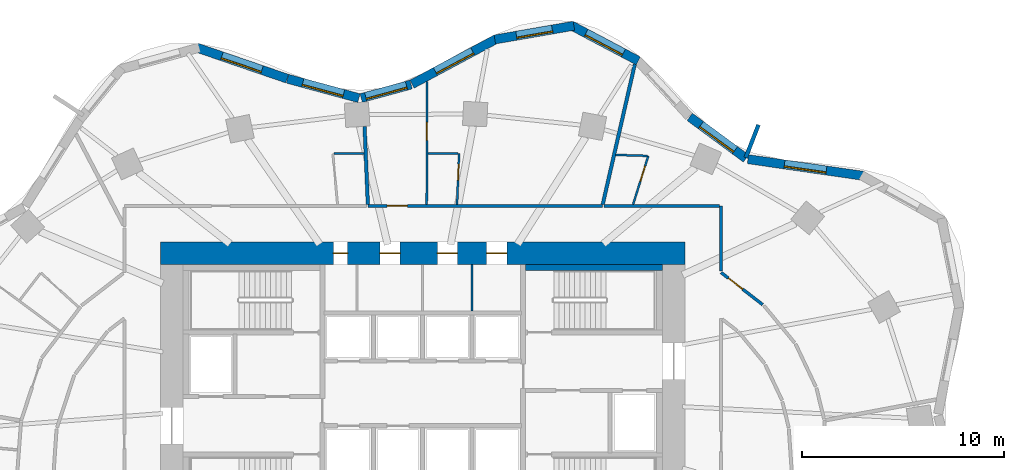
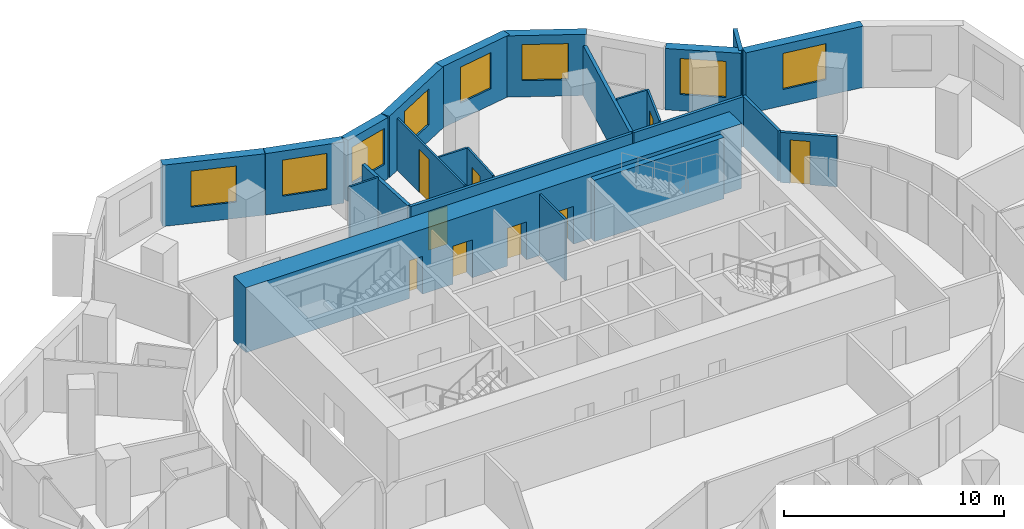
# One storey, part 8 of 10: 24 walls, 9 doors, 8 windows, 17 openings.
"""IFC4 building model written with IfcOpenShell, lengths in metres."""

from ifc_helpers import new_model, si_unit, direction, frame, frame_2d, origin, place, context, subcontext, project, spatial, rectangle, extrude, material, layer, layer_set, type_object, element, fill, save


model = new_model("IFC4")

# Units and contexts
model_context = context("Model", 3, precision=1e-05, world=origin(), true_north=direction((0.0, 1.0)))
body_context = subcontext(model_context, "Body", "Model", "MODEL_VIEW")
ifc_project = project(units=[si_unit("LENGTHUNIT", "METRE"), si_unit("AREAUNIT", "SQUARE_METRE"), si_unit("VOLUMEUNIT", "CUBIC_METRE"), si_unit("PLANEANGLEUNIT", "RADIAN"), si_unit("MASSUNIT", "GRAM", prefix="KILO")], contexts=[model_context])

# Site, building, storey
site_placement = place(None, origin())
site = spatial("IfcSite", under=ifc_project, at=site_placement, CompositionType="ELEMENT")
building_placement = place(site_placement, origin())
building = spatial("IfcBuilding", under=site, at=building_placement, Name="Rubra Terraces Tower", CompositionType="ELEMENT")
storey_placement = place(building_placement, frame((0.0, 0.0, 92.39990234375)))
storey = spatial("IfcBuildingStorey", under=building, at=storey_placement, Name="L21", CompositionType="ELEMENT", Elevation=92.39990234375)

# Walls
ifc_material_1 = material(Name="Twin plasterboard on staggered steel stud, acoustic mineral wool", Category="steel")
ifc_layer_1 = layer(ifc_material_1, 0.175048828125)
ifc_layer_set_1 = layer_set([ifc_layer_1], Name="Twin plasterboard on staggered steel stud, acoustic mineral wool")
wall_type_1 = type_object("IfcWallType", Name="ACOUSTIC PARTY WALL 175", PredefinedType="PARTITIONING", material=ifc_layer_set_1)
wall_1_placement = place(storey_placement, frame((10.518798828125, 20.8251953125, 0.0), z_axis=(0.0, 0.0, 1.0), x_axis=(-0.223124088509, -0.974790049768, 0.0)))
element("IfcWall", 1, at=wall_1_placement, inside=storey, type_object=wall_type_1, Name="PARTITION", PredefinedType="PARTITIONING", context=body_context, shape_type="SweptSolid", body=[
    extrude(rectangle(XDim=7.1318359375, YDim=0.175048828125, at=frame_2d((3.56591796875, 0.0))), origin(), (0.0, 0.0, 1.0), 2.7841796875),
])
wall_2_placement = place(storey_placement, frame((-2.88232421875, 17.732177734375, 0.0), z_axis=(0.0, 0.0, 1.0), x_axis=(0.04199090748, -0.999117992876, 0.0)))
element("IfcWall", 2, at=wall_2_placement, inside=storey, type_object=wall_type_1, Name="PARTITION", PredefinedType="PARTITIONING", context=body_context, shape_type="SweptSolid", body=[
    extrude(rectangle(XDim=3.860595703125, YDim=0.175048828125, at=frame_2d((1.93017578125, 0.0))), origin(), (0.0, 0.0, 1.0), 2.7841796875),
])

# Wall, opening, window
ifc_material_2 = material(Name="Brick masonry red-brown", Category="masonry")
ifc_layer_2 = layer(ifc_material_2, 0.449951171875)
ifc_layer_set_2 = layer_set([ifc_layer_2], Name="Brick masonry red-brown")
wall_type_2 = type_object("IfcWallType", Name="Brick facade wall 450", PredefinedType="SOLIDWALL", material=ifc_layer_set_2)
wall_3_placement = place(storey_placement, frame((21.8251953125, 15.297119140625, 0.0), z_axis=(0.0, 0.0, 1.0), x_axis=(-0.98971474215, 0.143054986527, 0.0)))
wall_3 = element("IfcWall", 3, at=wall_3_placement, inside=storey, type_object=wall_type_2, Name="Facade wall L21 bay 5", PredefinedType="SOLIDWALL", context=body_context, shape_type="SweptSolid", body=[
    extrude(rectangle(XDim=5.7529296875, YDim=0.449951171875, at=frame_2d((2.87646484375, 0.0))), origin(), (0.0, 0.0, 1.0), 3.400146484375),
])
opening_1_placement = place(wall_3_placement, frame((1.826416015625, 0.0, 0.89990234375)))
opening_1 = element("IfcOpeningElement", 4, at=opening_1_placement, cuts=wall_3, Name="Opening W1", PredefinedType="OPENING", context=body_context, shape_type="SweptSolid", body=[
    extrude(rectangle(XDim=2.10009765625, YDim=2.0, at=frame_2d((1.050048828125, 1.0))), frame((0.0, 0.23486328125, 0.0), z_axis=(0.0, -1.0, 0.0), x_axis=(1.0, 0.0, 0.0)), (0.0, 0.0, 1.0), 0.469970703125),
])
ifc_material_3 = material(Name="Clear glass in aluminium frame", Category="aluminium")
window_type_1 = type_object("IfcWindowType", Name="Fixed deep-set window 2100 x 2000", PartitioningType="SINGLE_PANEL", PredefinedType="WINDOW", material=ifc_material_3)
window_1_placement = place(opening_1_placement, origin())
window_1 = element("IfcWindow", 5, at=window_1_placement, inside=storey, type_object=window_type_1, Name="Window L21 bay 5", OverallHeight=2.0, OverallWidth=2.10009765625, PartitioningType="SINGLE_PANEL", PredefinedType="WINDOW", context=body_context, shape_type="SweptSolid", body=[
    extrude(rectangle(XDim=2.10009765625, YDim=2.0, at=frame_2d((1.050048828125, 1.0))), frame((0.0, 0.135009765625, 0.0), z_axis=(0.0, -1.0, 0.0), x_axis=(1.0, 0.0, 0.0)), (0.0, 0.0, 1.0), 0.06005859375),
])
fill(opening_1, window_1)

wall_4_placement = place(storey_placement, frame((16.03564453125, 16.15771484375, 0.0), z_axis=(0.0, 0.0, 1.0), x_axis=(-0.805181432967, 0.593028549064, 0.0)))
wall_4 = element("IfcWall", 6, at=wall_4_placement, inside=storey, type_object=wall_type_2, Name="Facade wall L21 bay 6", PredefinedType="SOLIDWALL", context=body_context, shape_type="SweptSolid", body=[
    extrude(rectangle(XDim=3.468505859375, YDim=0.449951171875, at=frame_2d((1.734375, 0.0))), origin(), (0.0, 0.0, 1.0), 3.400146484375),
])
opening_2_placement = place(wall_4_placement, frame((0.684326171875, 0.0, 0.89990234375)))
opening_2 = element("IfcOpeningElement", 7, at=opening_2_placement, cuts=wall_4, Name="Opening W1", PredefinedType="OPENING", context=body_context, shape_type="SweptSolid", body=[
    extrude(rectangle(XDim=2.10009765625, YDim=2.0, at=frame_2d((1.050048828125, 1.0))), frame((0.0, 0.23486328125, 0.0), z_axis=(0.0, -1.0, 0.0), x_axis=(1.0, 0.0, 0.0)), (0.0, 0.0, 1.0), 0.469970703125),
])
window_2_placement = place(opening_2_placement, origin())
window_2 = element("IfcWindow", 8, at=window_2_placement, inside=storey, type_object=window_type_1, Name="Window L21 bay 6", OverallHeight=2.0, OverallWidth=2.10009765625, PartitioningType="SINGLE_PANEL", PredefinedType="WINDOW", context=body_context, shape_type="SweptSolid", body=[
    extrude(rectangle(XDim=2.10009765625, YDim=2.0, at=frame_2d((1.050048828125, 1.0))), frame((0.0, 0.135009765625, 0.0), z_axis=(0.0, -1.0, 0.0), x_axis=(1.0, 0.0, 0.0)), (0.0, 0.0, 1.0), 0.06005859375),
])
fill(opening_2, window_2)

wall_5_placement = place(storey_placement, frame((10.692626953125, 20.9931640625, 0.0), z_axis=(0.0, 0.0, 1.0), x_axis=(-0.883817790726, 0.46783128668, 0.0)))
wall_5 = element("IfcWall", 9, at=wall_5_placement, inside=storey, type_object=wall_type_2, Name="Facade wall L21 bay 8", PredefinedType="SOLIDWALL", context=body_context, shape_type="SweptSolid", body=[
    extrude(rectangle(XDim=3.776611328125, YDim=0.449951171875, at=frame_2d((1.88818359375, 0.0))), origin(), (0.0, 0.0, 1.0), 3.400146484375),
])
opening_3_placement = place(wall_5_placement, frame((0.83837890625, 0.0, 0.89990234375)))
opening_3 = element("IfcOpeningElement", 10, at=opening_3_placement, cuts=wall_5, Name="Opening W1", PredefinedType="OPENING", context=body_context, shape_type="SweptSolid", body=[
    extrude(rectangle(XDim=2.10009765625, YDim=2.0, at=frame_2d((1.050048828125, 1.0))), frame((0.0, 0.23486328125, 0.0), z_axis=(0.0, -1.0, 0.0), x_axis=(1.0, 0.0, 0.0)), (0.0, 0.0, 1.0), 0.469970703125),
])
window_3_placement = place(opening_3_placement, origin())
window_3 = element("IfcWindow", 11, at=window_3_placement, inside=storey, type_object=window_type_1, Name="Window L21 bay 8", OverallHeight=2.0, OverallWidth=2.10009765625, PartitioningType="SINGLE_PANEL", PredefinedType="WINDOW", context=body_context, shape_type="SweptSolid", body=[
    extrude(rectangle(XDim=2.10009765625, YDim=2.0, at=frame_2d((1.050048828125, 1.0))), frame((0.0, 0.135009765625, 0.0), z_axis=(0.0, -1.0, 0.0), x_axis=(1.0, 0.0, 0.0)), (0.0, 0.0, 1.0), 0.06005859375),
])
fill(opening_3, window_3)

wall_6_placement = place(storey_placement, frame((7.49853515625, 22.7373046875, 0.0), z_axis=(0.0, 0.0, 1.0), x_axis=(-0.98521220506, -0.171338585849, 0.0)))
wall_6 = element("IfcWall", 12, at=wall_6_placement, inside=storey, type_object=wall_type_2, Name="Facade wall L21 bay 9", PredefinedType="SOLIDWALL", context=body_context, shape_type="SweptSolid", body=[
    extrude(rectangle(XDim=3.979736328125, YDim=0.449951171875, at=frame_2d((1.98974609375, 0.0))), origin(), (0.0, 0.0, 1.0), 3.400146484375),
])
opening_4_placement = place(wall_6_placement, frame((1.08984375, 0.0, 0.89990234375)))
opening_4 = element("IfcOpeningElement", 13, at=opening_4_placement, cuts=wall_6, Name="Opening W6", PredefinedType="OPENING", context=body_context, shape_type="SweptSolid", body=[
    extrude(rectangle(XDim=1.800048828125, YDim=2.0, at=frame_2d((0.89990234375, 1.0))), frame((0.0, 0.23486328125, 0.0), z_axis=(0.0, -1.0, 0.0), x_axis=(1.0, 0.0, 0.0)), (0.0, 0.0, 1.0), 0.469970703125),
])
window_type_2 = type_object("IfcWindowType", Name="Fixed deep-set window at wind fin 1800 x 2000", PartitioningType="SINGLE_PANEL", PredefinedType="WINDOW", material=ifc_material_3)
window_4_placement = place(opening_4_placement, origin())
window_4 = element("IfcWindow", 14, at=window_4_placement, inside=storey, type_object=window_type_2, Name="Window L21 bay 9", OverallHeight=2.0, OverallWidth=1.800048828125, PartitioningType="SINGLE_PANEL", PredefinedType="WINDOW", context=body_context, shape_type="SweptSolid", body=[
    extrude(rectangle(XDim=1.800048828125, YDim=2.0, at=frame_2d((0.89990234375, 1.0))), frame((0.0, 0.135009765625, 0.0), z_axis=(0.0, -1.0, 0.0), x_axis=(1.0, 0.0, 0.0)), (0.0, 0.0, 1.0), 0.06005859375),
])
fill(opening_4, window_4)

wall_7_placement = place(storey_placement, frame((3.6455078125, 22.07861328125, 0.0), z_axis=(0.0, 0.0, 1.0), x_axis=(-0.881279133897, -0.472596115259, 0.0)))
wall_7 = element("IfcWall", 15, at=wall_7_placement, inside=storey, type_object=wall_type_2, Name="Facade wall L21 bay 10", PredefinedType="SOLIDWALL", context=body_context, shape_type="SweptSolid", body=[
    extrude(rectangle(XDim=4.736572265625, YDim=0.449951171875, at=frame_2d((2.3681640625, 0.0))), origin(), (0.0, 0.0, 1.0), 3.400146484375),
])
opening_5_placement = place(wall_7_placement, frame((1.318115234375, 0.0, 0.89990234375)))
opening_5 = element("IfcOpeningElement", 16, at=opening_5_placement, cuts=wall_7, Name="Opening W1", PredefinedType="OPENING", context=body_context, shape_type="SweptSolid", body=[
    extrude(rectangle(XDim=2.10009765625, YDim=2.0, at=frame_2d((1.050048828125, 1.0))), frame((0.0, 0.23486328125, 0.0), z_axis=(0.0, -1.0, 0.0), x_axis=(1.0, 0.0, 0.0)), (0.0, 0.0, 1.0), 0.469970703125),
])
window_5_placement = place(opening_5_placement, origin())
window_5 = element("IfcWindow", 17, at=window_5_placement, inside=storey, type_object=window_type_1, Name="Window L21 bay 10", OverallHeight=2.0, OverallWidth=2.10009765625, PartitioningType="SINGLE_PANEL", PredefinedType="WINDOW", context=body_context, shape_type="SweptSolid", body=[
    extrude(rectangle(XDim=2.10009765625, YDim=2.0, at=frame_2d((1.050048828125, 1.0))), frame((0.0, 0.135009765625, 0.0), z_axis=(0.0, -1.0, 0.0), x_axis=(1.0, 0.0, 0.0)), (0.0, 0.0, 1.0), 0.06005859375),
])
fill(opening_5, window_5)

wall_8_placement = place(storey_placement, frame((-0.576171875, 19.8212890625, 0.0), z_axis=(0.0, 0.0, 1.0), x_axis=(-0.965009398019, -0.262215296532, 0.0)))
wall_8 = element("IfcWall", 18, at=wall_8_placement, inside=storey, type_object=wall_type_2, Name="Facade wall L21 bay 11", PredefinedType="SOLIDWALL", context=body_context, shape_type="SweptSolid", body=[
    extrude(rectangle(XDim=2.565185546875, YDim=0.449951171875, at=frame_2d((1.28271484375, 0.0))), origin(), (0.0, 0.0, 1.0), 3.400146484375),
])
opening_6_placement = place(wall_8_placement, frame((0.232666015625, 0.0, 0.89990234375)))
opening_6 = element("IfcOpeningElement", 19, at=opening_6_placement, cuts=wall_8, Name="Opening W1", PredefinedType="OPENING", context=body_context, shape_type="SweptSolid", body=[
    extrude(rectangle(XDim=2.10009765625, YDim=2.0, at=frame_2d((1.050048828125, 1.0))), frame((0.0, 0.23486328125, 0.0), z_axis=(0.0, -1.0, 0.0), x_axis=(1.0, 0.0, 0.0)), (0.0, 0.0, 1.0), 0.469970703125),
])
window_6_placement = place(opening_6_placement, origin())
window_6 = element("IfcWindow", 20, at=window_6_placement, inside=storey, type_object=window_type_1, Name="Window L21 bay 11", OverallHeight=2.0, OverallWidth=2.10009765625, PartitioningType="SINGLE_PANEL", PredefinedType="WINDOW", context=body_context, shape_type="SweptSolid", body=[
    extrude(rectangle(XDim=2.10009765625, YDim=2.0, at=frame_2d((1.050048828125, 1.0))), frame((0.0, 0.135009765625, 0.0), z_axis=(0.0, -1.0, 0.0), x_axis=(1.0, 0.0, 0.0)), (0.0, 0.0, 1.0), 0.06005859375),
])
fill(opening_6, window_6)

wall_9_placement = place(storey_placement, frame((-3.164306640625, 19.147216796875, 0.0), z_axis=(0.0, 0.0, 1.0), x_axis=(-0.965039479998, 0.262104563191, 0.0)))
wall_9 = element("IfcWall", 21, at=wall_9_placement, inside=storey, type_object=wall_type_2, Name="Facade wall L21 bay 12", PredefinedType="SOLIDWALL", context=body_context, shape_type="SweptSolid", body=[
    extrude(rectangle(XDim=3.671875, YDim=0.449951171875, at=frame_2d((1.8359375, 0.0))), origin(), (0.0, 0.0, 1.0), 3.400146484375),
])
opening_7_placement = place(wall_9_placement, frame((0.785888671875, 0.0, 0.89990234375)))
opening_7 = element("IfcOpeningElement", 22, at=opening_7_placement, cuts=wall_9, Name="Opening W1", PredefinedType="OPENING", context=body_context, shape_type="SweptSolid", body=[
    extrude(rectangle(XDim=2.10009765625, YDim=2.0, at=frame_2d((1.050048828125, 1.0))), frame((0.0, 0.23486328125, 0.0), z_axis=(0.0, -1.0, 0.0), x_axis=(1.0, 0.0, 0.0)), (0.0, 0.0, 1.0), 0.469970703125),
])
window_7_placement = place(opening_7_placement, origin())
window_7 = element("IfcWindow", 23, at=window_7_placement, inside=storey, type_object=window_type_1, Name="Window L21 bay 12", OverallHeight=2.0, OverallWidth=2.10009765625, PartitioningType="SINGLE_PANEL", PredefinedType="WINDOW", context=body_context, shape_type="SweptSolid", body=[
    extrude(rectangle(XDim=2.10009765625, YDim=2.0, at=frame_2d((1.050048828125, 1.0))), frame((0.0, 0.135009765625, 0.0), z_axis=(0.0, -1.0, 0.0), x_axis=(1.0, 0.0, 0.0)), (0.0, 0.0, 1.0), 0.06005859375),
])
fill(opening_7, window_7)

wall_10_placement = place(storey_placement, frame((-6.722900390625, 20.114013671875, 0.0), z_axis=(0.0, 0.0, 1.0), x_axis=(-0.945947299026, 0.324320377815, 0.0)))
wall_10 = element("IfcWall", 24, at=wall_10_placement, inside=storey, type_object=wall_type_2, Name="Facade wall L21 bay 13", PredefinedType="SOLIDWALL", context=body_context, shape_type="SweptSolid", body=[
    extrude(rectangle(XDim=4.74462890625, YDim=0.449951171875, at=frame_2d((2.372314453125, 0.0))), origin(), (0.0, 0.0, 1.0), 3.400146484375),
])
opening_8_placement = place(wall_10_placement, frame((1.322265625, 0.0, 0.89990234375)))
opening_8 = element("IfcOpeningElement", 25, at=opening_8_placement, cuts=wall_10, Name="Opening W1", PredefinedType="OPENING", context=body_context, shape_type="SweptSolid", body=[
    extrude(rectangle(XDim=2.10009765625, YDim=2.0, at=frame_2d((1.050048828125, 1.0))), frame((0.0, 0.23486328125, 0.0), z_axis=(0.0, -1.0, 0.0), x_axis=(1.0, 0.0, 0.0)), (0.0, 0.0, 1.0), 0.469970703125),
])
window_8_placement = place(opening_8_placement, origin())
window_8 = element("IfcWindow", 26, at=window_8_placement, inside=storey, type_object=window_type_1, Name="Window L21 bay 13", OverallHeight=2.0, OverallWidth=2.10009765625, PartitioningType="SINGLE_PANEL", PredefinedType="WINDOW", context=body_context, shape_type="SweptSolid", body=[
    extrude(rectangle(XDim=2.10009765625, YDim=2.0, at=frame_2d((1.050048828125, 1.0))), frame((0.0, 0.135009765625, 0.0), z_axis=(0.0, -1.0, 0.0), x_axis=(1.0, 0.0, 0.0)), (0.0, 0.0, 1.0), 0.06005859375),
])
fill(opening_8, window_8)

# Wall
ifc_layer_3 = layer(ifc_material_2, 0.199951171875)
ifc_layer_set_3 = layer_set([ifc_layer_3], Name="Brick masonry red-brown")
wall_type_3 = type_object("IfcWallType", Name="Brick wind fin 200", PredefinedType="SOLIDWALL", material=ifc_layer_set_3)
wall_11_placement = place(storey_placement, frame((16.01904296875, 16.195068359375, 0.0), z_axis=(0.0, 0.0, 1.0), x_axis=(0.362641522028, 0.931928713208, 0.0)))
element("IfcWall", 27, at=wall_11_placement, inside=storey, type_object=wall_type_3, Name="Wind fin L21 4", PredefinedType="SOLIDWALL", context=body_context, shape_type="SweptSolid", body=[
    extrude(rectangle(XDim=1.749755859375, YDim=0.199951171875, at=frame_2d((0.875, 0.0))), origin(), (0.0, 0.0, 1.0), 3.400146484375),
])

# Wall, openings, doors
ifc_material_4 = material(Name="Concrete C60", Category="concrete")
ifc_layer_4 = layer(ifc_material_4, 1.10009765625)
ifc_layer_set_4 = layer_set([ifc_layer_4], Name="Concrete C60")
wall_type_4 = type_object("IfcWallType", Name="CORE WALL 1100 C60", PredefinedType="SHEAR", material=ifc_layer_set_4)
wall_12_placement = place(storey_placement, frame((-13.0, 11.449951171875, 0.0), z_axis=(0.0, 0.0, 1.0), x_axis=(1.0, 0.0, 0.0)))
wall_12 = element("IfcWall", 28, at=wall_12_placement, inside=storey, type_object=wall_type_4, Name="CORE WALL N L21", PredefinedType="SHEAR", context=body_context, shape_type="SweptSolid", body=[
    extrude(rectangle(XDim=26.0, YDim=1.10009765625, at=frame_2d((13.0, 0.0))), origin(), (0.0, 0.0, 1.0), 3.60009765625),
])
opening_9_placement = place(wall_12_placement, frame((8.574951171875, 0.0, 0.0)))
opening_9 = element("IfcOpeningElement", 29, at=opening_9_placement, cuts=wall_12, Name="Opening L21.C23", PredefinedType="OPENING", context=body_context, shape_type="SweptSolid", body=[
    extrude(rectangle(XDim=0.699951171875, YDim=2.10009765625, at=frame_2d((0.35009765625, 1.050048828125))), frame((0.0, 0.56005859375, 0.0), z_axis=(0.0, -1.0, 0.0), x_axis=(1.0, 0.0, 0.0)), (0.0, 0.0, 1.0), 1.1201171875),
])
opening_10_placement = place(wall_12_placement, frame((10.875, 0.0, 0.0)))
opening_10 = element("IfcOpeningElement", 30, at=opening_10_placement, cuts=wall_12, Name="Opening L21.C24", PredefinedType="OPENING", context=body_context, shape_type="SweptSolid", body=[
    extrude(rectangle(XDim=1.0, YDim=2.10009765625, at=frame_2d((0.5, 1.050048828125))), frame((0.0, 0.56005859375, 0.0), z_axis=(0.0, -1.0, 0.0), x_axis=(1.0, 0.0, 0.0)), (0.0, 0.0, 1.0), 1.1201171875),
])
opening_11_placement = place(wall_12_placement, frame((13.72509765625, 0.0, 0.0)))
opening_11 = element("IfcOpeningElement", 31, at=opening_11_placement, cuts=wall_12, Name="Opening L21.C25", PredefinedType="OPENING", context=body_context, shape_type="SweptSolid", body=[
    extrude(rectangle(XDim=1.0, YDim=2.10009765625, at=frame_2d((0.5, 1.050048828125))), frame((0.0, 0.56005859375, 0.0), z_axis=(0.0, -1.0, 0.0), x_axis=(1.0, 0.0, 0.0)), (0.0, 0.0, 1.0), 1.1201171875),
])
opening_12_placement = place(wall_12_placement, frame((16.175048828125, 0.0, 0.0)))
opening_12 = element("IfcOpeningElement", 32, at=opening_12_placement, cuts=wall_12, Name="Opening L21.C26", PredefinedType="OPENING", context=body_context, shape_type="SweptSolid", body=[
    extrude(rectangle(XDim=1.0, YDim=2.10009765625, at=frame_2d((0.5, 1.050048828125))), frame((0.0, 0.56005859375, 0.0), z_axis=(0.0, -1.0, 0.0), x_axis=(1.0, 0.0, 0.0)), (0.0, 0.0, 1.0), 1.1201171875),
])
ifc_material_5 = material(Name="Painted steel", Category="steel")
door_type_1 = type_object("IfcDoorType", Name="Fire door 1000x2100 single", OperationType="NOTDEFINED", PredefinedType="DOOR", material=ifc_material_5)
door_1_placement = place(opening_10_placement, origin())
door_1 = element("IfcDoor", 33, at=door_1_placement, inside=storey, type_object=door_type_1, Name="Housekeeping store door", OperationType="SINGLE_SWING_RIGHT", OverallHeight=2.10009765625, OverallWidth=1.0, PredefinedType="DOOR", context=body_context, shape_type="SweptSolid", body=[
    extrude(rectangle(XDim=1.0, YDim=2.10009765625, at=frame_2d((0.5, 1.050048828125))), frame((0.0, 0.02490234375, 0.0), z_axis=(0.0, -1.0, 0.0), x_axis=(1.0, 0.0, 0.0)), (0.0, 0.0, 1.0), 0.050048828125),
])
fill(opening_10, door_1)
door_2_placement = place(opening_11_placement, origin())
door_2 = element("IfcDoor", 34, at=door_2_placement, inside=storey, type_object=door_type_1, Name="Ice and vending room door", OperationType="SINGLE_SWING_LEFT", OverallHeight=2.10009765625, OverallWidth=1.0, PredefinedType="DOOR", context=body_context, shape_type="SweptSolid", body=[
    extrude(rectangle(XDim=1.0, YDim=2.10009765625, at=frame_2d((0.5, 1.050048828125))), frame((0.0, 0.02490234375, 0.0), z_axis=(0.0, -1.0, 0.0), x_axis=(1.0, 0.0, 0.0)), (0.0, 0.0, 1.0), 0.050048828125),
])
fill(opening_11, door_2)
door_3_placement = place(opening_12_placement, origin())
door_3 = element("IfcDoor", 35, at=door_3_placement, inside=storey, type_object=door_type_1, Name="General store door", OperationType="SINGLE_SWING_RIGHT", OverallHeight=2.10009765625, OverallWidth=1.0, PredefinedType="DOOR", context=body_context, shape_type="SweptSolid", body=[
    extrude(rectangle(XDim=1.0, YDim=2.10009765625, at=frame_2d((0.5, 1.050048828125))), frame((0.0, 0.02490234375, 0.0), z_axis=(0.0, -1.0, 0.0), x_axis=(1.0, 0.0, 0.0)), (0.0, 0.0, 1.0), 0.050048828125),
])
fill(opening_12, door_3)
door_type_2 = type_object("IfcDoorType", Name="Riser access door 700x2100 single", OperationType="NOTDEFINED", PredefinedType="DOOR", material=ifc_material_5)
door_4_placement = place(opening_9_placement, origin())
door_4 = element("IfcDoor", 36, at=door_4_placement, inside=storey, type_object=door_type_2, Name="Water and drainage riser door", OperationType="SINGLE_SWING_LEFT", OverallHeight=2.10009765625, OverallWidth=0.699951171875, PredefinedType="DOOR", context=body_context, shape_type="SweptSolid", body=[
    extrude(rectangle(XDim=0.699951171875, YDim=2.10009765625, at=frame_2d((0.35009765625, 1.050048828125))), frame((0.0, 0.02490234375, 0.0), z_axis=(0.0, -1.0, 0.0), x_axis=(1.0, 0.0, 0.0)), (0.0, 0.0, 1.0), 0.050048828125),
])
fill(opening_9, door_4)

# Wall, opening, door
ifc_material_6 = material(Name="Plasterboard on steel stud, mineral wool infill", Category="steel")
ifc_layer_5 = layer(ifc_material_6, 0.14990234375)
ifc_layer_set_5 = layer_set([ifc_layer_5], Name="Plasterboard on steel stud, mineral wool infill")
wall_type_5 = type_object("IfcWallType", Name="CORRIDOR PARTITION 150", PredefinedType="PARTITIONING", material=ifc_layer_set_5)
wall_13_placement = place(storey_placement, frame((8.91064453125, 13.800048828125, 0.0), z_axis=(0.0, 0.0, 1.0), x_axis=(-1.0, 0.0, 0.0)))
wall_13 = element("IfcWall", 37, at=wall_13_placement, inside=storey, type_object=wall_type_5, Name="PARTITION", PredefinedType="PARTITIONING", context=body_context, shape_type="SweptSolid", body=[
    extrude(rectangle(XDim=11.627685546875, YDim=0.14990234375, at=frame_2d((5.81396484375, 0.0))), origin(), (0.0, 0.0, 1.0), 2.7841796875),
])
opening_13_placement = place(wall_13_placement, frame((9.6689453125, 0.0, 0.0)))
opening_13 = element("IfcOpeningElement", 38, at=opening_13_placement, cuts=wall_13, Name="Opening 21-103", PredefinedType="OPENING", context=body_context, shape_type="SweptSolid", body=[
    extrude(rectangle(XDim=1.0, YDim=2.10009765625, at=frame_2d((0.5, 1.050048828125))), frame((0.0, 0.0849609375, 0.0), z_axis=(0.0, -1.0, 0.0), x_axis=(1.0, 0.0, 0.0)), (0.0, 0.0, 1.0), 0.169921875),
])
ifc_material_7 = material(Name="Painted timber door leaf", Category="wood")
door_type_3 = type_object("IfcDoorType", Name="ROOM DOOR 1000 X 2100", OperationType="SINGLE_SWING_LEFT", PredefinedType="DOOR", material=ifc_material_7)
door_5_placement = place(opening_13_placement, origin())
door_5 = element("IfcDoor", 39, at=door_5_placement, inside=storey, type_object=door_type_3, Name="DOOR 21-103", OperationType="SINGLE_SWING_RIGHT", OverallHeight=2.10009765625, OverallWidth=1.0, PredefinedType="DOOR", context=body_context, shape_type="SweptSolid", body=[
    extrude(rectangle(XDim=1.0, YDim=2.10009765625, at=frame_2d((0.5, 1.050048828125))), frame((0.0, 0.02490234375, 0.0), z_axis=(0.0, -1.0, 0.0), x_axis=(1.0, 0.0, 0.0)), (0.0, 0.0, 1.0), 0.050048828125),
])
fill(opening_13, door_5)

wall_14_placement = place(storey_placement, frame((16.86181640625, 8.905029296875, 0.0), z_axis=(0.0, 0.0, 1.0), x_axis=(-0.791542595332, 0.611113999001, 0.0)))
wall_14 = element("IfcWall", 40, at=wall_14_placement, inside=storey, type_object=wall_type_5, Name="PARTITION", PredefinedType="PARTITIONING", context=body_context, shape_type="SweptSolid", body=[
    extrude(rectangle(XDim=2.604736328125, YDim=0.14990234375, at=frame_2d((1.30224609375, 0.0))), origin(), (0.0, 0.0, 1.0), 2.7841796875),
])
opening_14_placement = place(wall_14_placement, frame((1.25, 0.0, 0.0)))
opening_14 = element("IfcOpeningElement", 41, at=opening_14_placement, cuts=wall_14, Name="Opening 21-128", PredefinedType="OPENING", context=body_context, shape_type="SweptSolid", body=[
    extrude(rectangle(XDim=0.89990234375, YDim=2.39990234375, at=frame_2d((0.449951171875, 1.199951171875))), frame((0.0, 0.0849609375, 0.0), z_axis=(0.0, -1.0, 0.0), x_axis=(1.0, 0.0, 0.0)), (0.0, 0.0, 1.0), 0.169921875),
])
ifc_material_8 = material(Name="Veneered timber door leaf, fire-rated", Category="wood")
door_type_4 = type_object("IfcDoorType", Name="SUITE ENTRANCE DOOR 900 X 2400", OperationType="SINGLE_SWING_LEFT", PredefinedType="DOOR", material=ifc_material_8)
door_6_placement = place(opening_14_placement, origin())
door_6 = element("IfcDoor", 42, at=door_6_placement, inside=storey, type_object=door_type_4, Name="DOOR 21-128", OperationType="SINGLE_SWING_RIGHT", OverallHeight=2.39990234375, OverallWidth=0.89990234375, PredefinedType="DOOR", context=body_context, shape_type="SweptSolid", body=[
    extrude(rectangle(XDim=0.89990234375, YDim=2.39990234375, at=frame_2d((0.449951171875, 1.199951171875))), frame((0.0, 0.02490234375, 0.0), z_axis=(0.0, -1.0, 0.0), x_axis=(1.0, 0.0, 0.0)), (0.0, 0.0, 1.0), 0.050048828125),
])
fill(opening_14, door_6)

# Walls
wall_15_placement = place(storey_placement, frame((14.800048828125, 10.57177734375, 0.0), z_axis=(0.0, 0.0, 1.0), x_axis=(0.0, 1.0, 0.0)))
element("IfcWall", 43, at=wall_15_placement, inside=storey, type_object=wall_type_5, Name="PARTITION", PredefinedType="PARTITIONING", context=body_context, shape_type="SweptSolid", body=[
    extrude(rectangle(XDim=3.228271484375, YDim=0.14990234375, at=frame_2d((1.6142578125, 0.0))), origin(), (0.0, 0.0, 1.0), 2.7841796875),
])
wall_16_placement = place(storey_placement, frame((14.72509765625, 13.800048828125, 0.0), z_axis=(0.0, 0.0, 1.0), x_axis=(-1.0, 0.0, 0.0)))
element("IfcWall", 44, at=wall_16_placement, inside=storey, type_object=wall_type_5, Name="PARTITION", PredefinedType="PARTITIONING", context=body_context, shape_type="SweptSolid", body=[
    extrude(rectangle(XDim=5.739501953125, YDim=0.14990234375, at=frame_2d((2.86962890625, 0.0))), origin(), (0.0, 0.0, 1.0), 2.7841796875),
])
ifc_material_9 = material(Name="Concrete C40", Category="concrete")
ifc_layer_6 = layer(ifc_material_9, 0.300048828125)
ifc_layer_set_6 = layer_set([ifc_layer_6], Name="Concrete C40")
wall_type_6 = type_object("IfcWallType", Name="Core lining wall 300 concrete", PredefinedType="SOLIDWALL", material=ifc_layer_set_6)
wall_17_placement = place(storey_placement, frame((11.89990234375, 10.75, 0.0), z_axis=(0.0, 0.0, 1.0), x_axis=(-1.0, 0.0, 0.0)))
element("IfcWall", 45, at=wall_17_placement, inside=storey, type_object=wall_type_6, Name="CORE LINING WALL L21", PredefinedType="SOLIDWALL", context=body_context, shape_type="SweptSolid", body=[
    extrude(rectangle(XDim=6.7998046875, YDim=0.300048828125, at=frame_2d((3.39990234375, 0.0))), origin(), (0.0, 0.0, 1.0), 3.400146484375),
])

# Wall, opening, door
ifc_material_10 = material(Name="Plasterboard on steel stud", Category="steel")
ifc_layer_7 = layer(ifc_material_10, 0.10009765625)
ifc_layer_set_7 = layer_set([ifc_layer_7], Name="Plasterboard on steel stud")
wall_type_7 = type_object("IfcWallType", Name="ROOM PARTITION 100", PredefinedType="PARTITIONING", material=ifc_layer_set_7)
wall_18_placement = place(storey_placement, frame((0.21435546875, 19.978759765625, 0.0), z_axis=(0.0, 0.0, 1.0), x_axis=(-0.002359899032, -0.999997215434, 0.0)))
wall_18 = element("IfcWall", 46, at=wall_18_placement, inside=storey, type_object=wall_type_7, Name="PARTITION", PredefinedType="PARTITIONING", context=body_context, shape_type="SweptSolid", body=[
    extrude(rectangle(XDim=6.103759765625, YDim=0.10009765625, at=frame_2d((3.0517578125, 0.0))), origin(), (0.0, 0.0, 1.0), 2.884033203125),
])
opening_15_placement = place(wall_18_placement, frame((2.029052734375, 0.0, 0.0)))
opening_15 = element("IfcOpeningElement", 47, at=opening_15_placement, cuts=wall_18, Name="Opening 21-102", PredefinedType="OPENING", context=body_context, shape_type="SweptSolid", body=[
    extrude(rectangle(XDim=0.89990234375, YDim=2.39990234375, at=frame_2d((0.449951171875, 1.199951171875))), frame((0.0, 0.06005859375, 0.0), z_axis=(0.0, -1.0, 0.0), x_axis=(1.0, 0.0, 0.0)), (0.0, 0.0, 1.0), 0.1201171875),
])
door_7_placement = place(opening_15_placement, origin())
door_7 = element("IfcDoor", 48, at=door_7_placement, inside=storey, type_object=door_type_4, Name="DOOR 21-102", OperationType="SINGLE_SWING_LEFT", OverallHeight=2.39990234375, OverallWidth=0.89990234375, PredefinedType="DOOR", context=body_context, shape_type="SweptSolid", body=[
    extrude(rectangle(XDim=0.89990234375, YDim=2.39990234375, at=frame_2d((0.449951171875, 1.199951171875))), frame((0.0, 0.02490234375, 0.0), z_axis=(0.0, -1.0, 0.0), x_axis=(1.0, 0.0, 0.0)), (0.0, 0.0, 1.0), 0.050048828125),
])
fill(opening_15, door_7)

wall_19_placement = place(storey_placement, frame((1.702880859375, 13.875, 0.0), z_axis=(0.0, 0.0, 1.0), x_axis=(0.040512484472, 0.999179032307, 0.0)))
wall_19 = element("IfcWall", 49, at=wall_19_placement, inside=storey, type_object=wall_type_7, Name="PARTITION", PredefinedType="PARTITIONING", context=body_context, shape_type="SweptSolid", body=[
    extrude(rectangle(XDim=2.52490234375, YDim=0.10009765625, at=frame_2d((1.262451171875, 0.0))), origin(), (0.0, 0.0, 1.0), 2.884033203125),
])
opening_16_placement = place(wall_19_placement, frame((1.199951171875, 0.0, 0.0)))
opening_16 = element("IfcOpeningElement", 50, at=opening_16_placement, cuts=wall_19, Name="Opening 21-101", PredefinedType="OPENING", context=body_context, shape_type="SweptSolid", body=[
    extrude(rectangle(XDim=0.800048828125, YDim=2.10009765625, at=frame_2d((0.39990234375, 1.050048828125))), frame((0.0, 0.06005859375, 0.0), z_axis=(0.0, -1.0, 0.0), x_axis=(1.0, 0.0, 0.0)), (0.0, 0.0, 1.0), 0.1201171875),
])
door_type_5 = type_object("IfcDoorType", Name="BATHROOM DOOR 800 X 2100", OperationType="SINGLE_SWING_LEFT", PredefinedType="DOOR", material=ifc_material_7)
door_8_placement = place(opening_16_placement, origin())
door_8 = element("IfcDoor", 51, at=door_8_placement, inside=storey, type_object=door_type_5, Name="DOOR 21-101", OperationType="SINGLE_SWING_LEFT", OverallHeight=2.10009765625, OverallWidth=0.800048828125, PredefinedType="DOOR", context=body_context, shape_type="SweptSolid", body=[
    extrude(rectangle(XDim=0.800048828125, YDim=2.10009765625, at=frame_2d((0.39990234375, 1.050048828125))), frame((0.0, 0.02490234375, 0.0), z_axis=(0.0, -1.0, 0.0), x_axis=(1.0, 0.0, 0.0)), (0.0, 0.0, 1.0), 0.050048828125),
])
fill(opening_16, door_8)

# Walls
wall_20_placement = place(storey_placement, frame((1.755126953125, 16.39794921875, 0.0), z_axis=(0.0, 0.0, 1.0), x_axis=(-0.999999151462, 0.001302718321, 0.0)))
element("IfcWall", 52, at=wall_20_placement, inside=storey, type_object=wall_type_7, Name="PARTITION", PredefinedType="PARTITIONING", context=body_context, shape_type="SweptSolid", body=[
    extrude(rectangle(XDim=1.499267578125, YDim=0.10009765625, at=frame_2d((0.74951171875, 0.0))), origin(), (0.0, 0.0, 1.0), 2.884033203125),
])
wall_21_placement = place(storey_placement, frame((-4.404296875, 16.389404296875, 0.0), z_axis=(0.0, 0.0, 1.0), x_axis=(0.999986489733, 0.005198110408, 0.0)))
element("IfcWall", 53, at=wall_21_placement, inside=storey, type_object=wall_type_7, Name="PARTITION", PredefinedType="PARTITIONING", context=body_context, shape_type="SweptSolid", body=[
    extrude(rectangle(XDim=1.5029296875, YDim=0.10009765625, at=frame_2d((0.75146484375, 0.0))), origin(), (0.0, 0.0, 1.0), 2.884033203125),
])

# Wall, opening, door
wall_22_placement = place(storey_placement, frame((10.43310546875, 13.87158203125, 0.0), z_axis=(0.0, 0.0, 1.0), x_axis=(0.298770443437, 0.954325008647, 0.0)))
wall_22 = element("IfcWall", 54, at=wall_22_placement, inside=storey, type_object=wall_type_7, Name="PARTITION", PredefinedType="PARTITIONING", context=body_context, shape_type="SweptSolid", body=[
    extrude(rectangle(XDim=2.52490234375, YDim=0.10009765625, at=frame_2d((1.262451171875, 0.0))), origin(), (0.0, 0.0, 1.0), 2.884033203125),
])
opening_17_placement = place(wall_22_placement, frame((1.199951171875, 0.0, 0.0)))
opening_17 = element("IfcOpeningElement", 55, at=opening_17_placement, cuts=wall_22, Name="Opening 21-127", PredefinedType="OPENING", context=body_context, shape_type="SweptSolid", body=[
    extrude(rectangle(XDim=0.800048828125, YDim=2.10009765625, at=frame_2d((0.39990234375, 1.050048828125))), frame((0.0, 0.06005859375, 0.0), z_axis=(0.0, -1.0, 0.0), x_axis=(1.0, 0.0, 0.0)), (0.0, 0.0, 1.0), 0.1201171875),
])
door_9_placement = place(opening_17_placement, origin())
door_9 = element("IfcDoor", 56, at=door_9_placement, inside=storey, type_object=door_type_5, Name="DOOR 21-127", OperationType="SINGLE_SWING_LEFT", OverallHeight=2.10009765625, OverallWidth=0.800048828125, PredefinedType="DOOR", context=body_context, shape_type="SweptSolid", body=[
    extrude(rectangle(XDim=0.800048828125, YDim=2.10009765625, at=frame_2d((0.39990234375, 1.050048828125))), frame((0.0, 0.02490234375, 0.0), z_axis=(0.0, -1.0, 0.0), x_axis=(1.0, 0.0, 0.0)), (0.0, 0.0, 1.0), 0.050048828125),
])
fill(opening_17, door_9)

# Walls
wall_23_placement = place(storey_placement, frame((11.1376953125, 16.28271484375, 0.0), z_axis=(0.0, 0.0, 1.0), x_axis=(-0.99950813006, 0.031360770779, 0.0)))
element("IfcWall", 57, at=wall_23_placement, inside=storey, type_object=wall_type_7, Name="PARTITION", PredefinedType="PARTITIONING", context=body_context, shape_type="SweptSolid", body=[
    extrude(rectangle(XDim=1.572509765625, YDim=0.10009765625, at=frame_2d((0.7861328125, 0.0))), origin(), (0.0, 0.0, 1.0), 2.884033203125),
])
ifc_material_11 = material(Name="Blockwork", Category="masonry")
ifc_layer_8 = layer(ifc_material_11, 0.10009765625)
ifc_layer_set_8 = layer_set([ifc_layer_8], Name="Blockwork")
wall_type_8 = type_object("IfcWallType", Name="Service partition 100 blockwork", PredefinedType="PARTITIONING", material=ifc_layer_set_8)
wall_24_placement = place(storey_placement, frame((2.449951171875, 8.60009765625, 0.0), z_axis=(0.0, 0.0, 1.0), x_axis=(0.0, 1.0, 0.0)))
element("IfcWall", 58, at=wall_24_placement, inside=storey, type_object=wall_type_8, Name="SERVICE ROOM PARTITION L21", PredefinedType="PARTITIONING", context=body_context, shape_type="SweptSolid", body=[
    extrude(rectangle(XDim=2.2998046875, YDim=0.10009765625, at=frame_2d((1.14990234375, 0.0))), origin(), (0.0, 0.0, 1.0), 3.400146484375),
])

save(model, "model.ifc")
